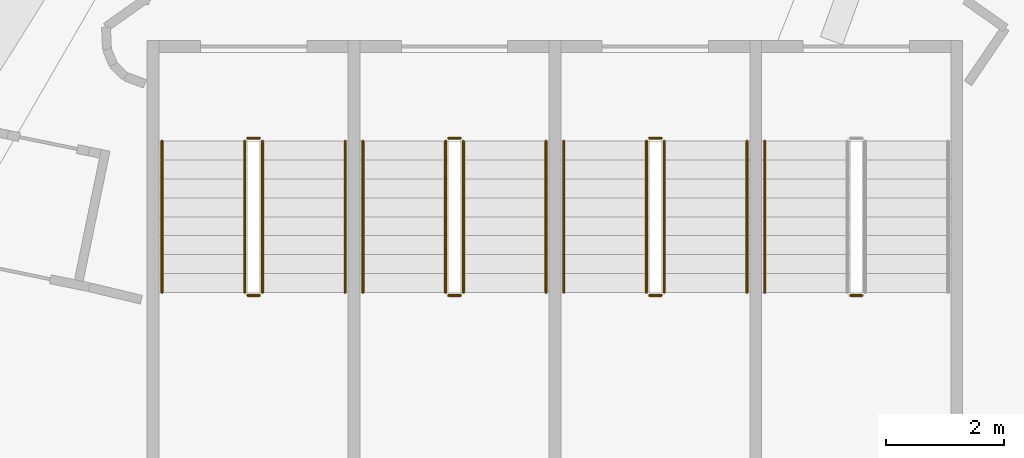
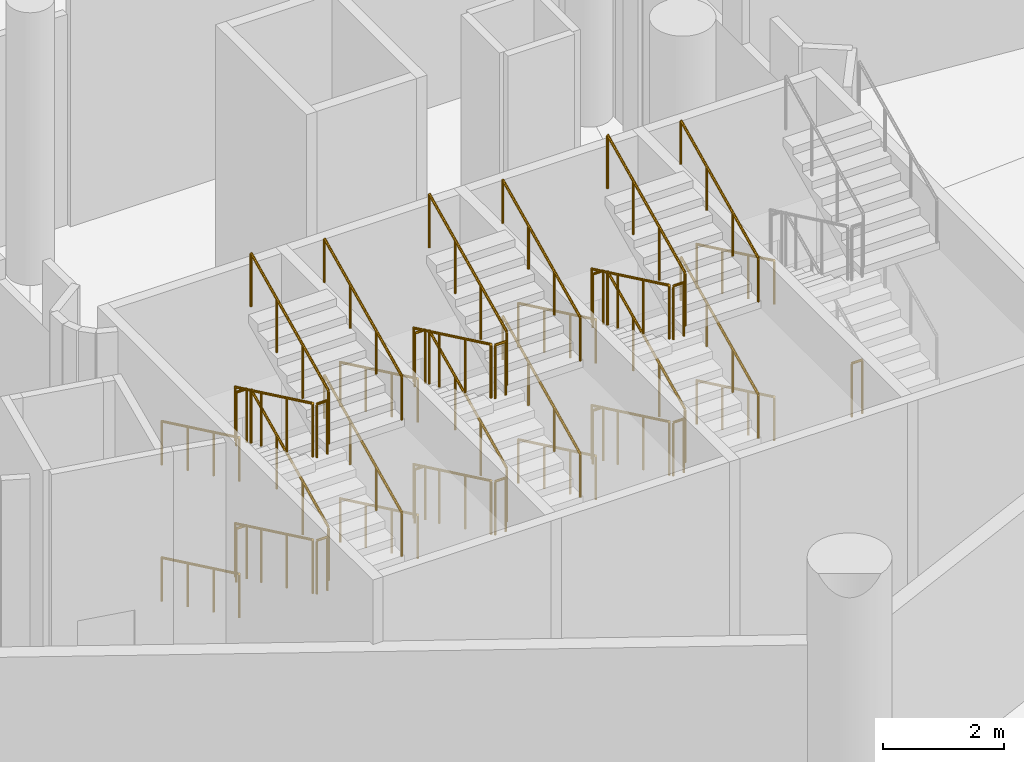
# One storey, part 228 of 271: 39 railings.
"""IFC4 building model written with IfcOpenShell, lengths in metres."""

from ifc_helpers import new_model, si_unit, direction, frame, origin, origin_2d, place, context, subcontext, project, spatial, circle, extrude, material, type_object, element, save


model = new_model("IFC4")

# Units and contexts
model_context = context("Model", 3, precision=1e-05, world=origin(), true_north=direction((0.0, 1.0)))
body_context = subcontext(model_context, "Body", "Model", "MODEL_VIEW")
ifc_project = project(units=[si_unit("LENGTHUNIT", "METRE"), si_unit("AREAUNIT", "SQUARE_METRE"), si_unit("VOLUMEUNIT", "CUBIC_METRE"), si_unit("PLANEANGLEUNIT", "RADIAN"), si_unit("MASSUNIT", "GRAM", prefix="KILO")], contexts=[model_context])

# Site, building, storey
site_placement = place(None, origin())
site = spatial("IfcSite", under=ifc_project, at=site_placement, CompositionType="ELEMENT")
building_placement = place(site_placement, origin())
building = spatial("IfcBuilding", under=site, at=building_placement, Name="Meseta Stadium", CompositionType="ELEMENT")
storey_placement = place(building_placement, frame((0.0, 0.0, 6.5)))
storey = spatial("IfcBuildingStorey", under=building, at=storey_placement, Name="L01", CompositionType="ELEMENT", Elevation=6.5)

# Railings
ifc_material_1 = material(Name="Steel S355", Category="steel")
railing_type_1 = type_object("IfcRailingType", Name="Stair guard 1100", PredefinedType="GUARDRAIL", material=ifc_material_1)
railing_1_placement = place(storey_placement, frame((-43.583251953125, -94.199951171875, 0.15283203125)))
element("IfcRailing", 1, at=railing_1_placement, inside=storey, type_object=railing_type_1, Name="ST89 L01 guard 1", PredefinedType="GUARDRAIL", context=body_context, shape_type="SweptSolid", body=[
    extrude(circle(Radius=0.02392578125, at=origin_2d()), frame((0.0, 0.0, 1.076171875), z_axis=(0.0, -0.902436934422, 0.430821981091), x_axis=(1.0, 0.0, 0.0)), (0.0, 0.0, 1.0), 2.8369140625),
    extrude(circle(Radius=0.02099609375, at=origin_2d()), origin(), (0.0, 0.0, 1.0), 1.052001953125),
    extrude(circle(Radius=0.02099609375, at=origin_2d()), frame((0.0, -0.853271484375, 0.407470703125)), (0.0, 0.0, 1.0), 1.052001953125),
    extrude(circle(Radius=0.02099609375, at=origin_2d()), frame((0.0, -1.706787109375, 0.814697265625)), (0.0, 0.0, 1.0), 1.052001953125),
    extrude(circle(Radius=0.02099609375, at=origin_2d()), frame((0.0, -2.56005859375, 1.22216796875)), (0.0, 0.0, 1.0), 1.052001953125),
])
railing_2_placement = place(storey_placement, frame((-43.533447265625, -96.81005859375, 1.375)))
element("IfcRailing", 2, at=railing_2_placement, inside=storey, type_object=railing_type_1, Name="ST89 L01 guard 2", PredefinedType="GUARDRAIL", context=body_context, shape_type="SweptSolid", body=[
    extrude(circle(Radius=0.02392578125, at=origin_2d()), frame((0.0, 0.0, 1.076171875), z_axis=(1.0, 0.0, 0.0), x_axis=(0.0, 1.0, 0.0)), (0.0, 0.0, 1.0), 0.2001953125),
    extrude(circle(Radius=0.02099609375, at=origin_2d()), origin(), (0.0, 0.0, 1.0), 1.052001953125),
    extrude(circle(Radius=0.02099609375, at=origin_2d()), frame((0.2001953125, 0.0, 0.0)), (0.0, 0.0, 1.0), 1.052001953125),
])
railing_3_placement = place(storey_placement, frame((-43.283447265625, -96.760009765625, 1.52783203125)))
element("IfcRailing", 3, at=railing_3_placement, inside=storey, type_object=railing_type_1, Name="ST89 L01 guard 3", PredefinedType="GUARDRAIL", context=body_context, shape_type="SweptSolid", body=[
    extrude(circle(Radius=0.02392578125, at=origin_2d()), frame((0.0, 0.0, 1.076171875), z_axis=(0.0, 0.902436934422, 0.430821981091), x_axis=(-1.0, 0.0, 0.0)), (0.0, 0.0, 1.0), 2.8369140625),
    extrude(circle(Radius=0.02099609375, at=origin_2d()), origin(), (0.0, 0.0, 1.0), 1.052001953125),
    extrude(circle(Radius=0.02099609375, at=origin_2d()), frame((0.0, 0.853271484375, 0.407470703125)), (0.0, 0.0, 1.0), 1.052001953125),
    extrude(circle(Radius=0.02099609375, at=origin_2d()), frame((0.0, 1.706787109375, 0.814697265625)), (0.0, 0.0, 1.0), 1.052001953125),
    extrude(circle(Radius=0.02099609375, at=origin_2d()), frame((0.0, 2.56005859375, 1.22216796875)), (0.0, 0.0, 1.0), 1.052001953125),
])
railing_4_placement = place(storey_placement, frame((-43.533447265625, -94.14990234375, 2.75)))
element("IfcRailing", 4, at=railing_4_placement, inside=storey, type_object=railing_type_1, Name="ST89 L01 guard 4", PredefinedType="GUARDRAIL", context=body_context, shape_type="SweptSolid", body=[
    extrude(circle(Radius=0.02392578125, at=origin_2d()), frame((0.0, 0.0, 1.076171875), z_axis=(1.0, 0.0, 0.0), x_axis=(0.0, 1.0, 0.0)), (0.0, 0.0, 1.0), 0.2001953125),
    extrude(circle(Radius=0.02099609375, at=origin_2d()), origin(), (0.0, 0.0, 1.0), 1.052001953125),
    extrude(circle(Radius=0.02099609375, at=origin_2d()), frame((0.2001953125, 0.0, 0.0)), (0.0, 0.0, 1.0), 1.052001953125),
])
railing_5_placement = place(storey_placement, frame((-43.583251953125, -94.199951171875, 2.90283203125)))
element("IfcRailing", 5, at=railing_5_placement, inside=storey, type_object=railing_type_1, Name="ST89 L01 guard 5", PredefinedType="GUARDRAIL", context=body_context, shape_type="SweptSolid", body=[
    extrude(circle(Radius=0.02392578125, at=origin_2d()), frame((0.0, 0.0, 1.076171875), z_axis=(0.0, -0.902436934422, 0.430821981091), x_axis=(1.0, 0.0, 0.0)), (0.0, 0.0, 1.0), 2.8369140625),
    extrude(circle(Radius=0.02099609375, at=origin_2d()), origin(), (0.0, 0.0, 1.0), 1.052001953125),
    extrude(circle(Radius=0.02099609375, at=origin_2d()), frame((0.0, -0.853271484375, 0.407470703125)), (0.0, 0.0, 1.0), 1.052001953125),
    extrude(circle(Radius=0.02099609375, at=origin_2d()), frame((0.0, -1.706787109375, 0.814697265625)), (0.0, 0.0, 1.0), 1.052001953125),
    extrude(circle(Radius=0.02099609375, at=origin_2d()), frame((0.0, -2.56005859375, 1.22216796875)), (0.0, 0.0, 1.0), 1.052001953125),
])
railing_6_placement = place(storey_placement, frame((-43.533447265625, -96.81005859375, 4.125)))
element("IfcRailing", 6, at=railing_6_placement, inside=storey, type_object=railing_type_1, Name="ST89 L01 guard 6", PredefinedType="GUARDRAIL", context=body_context, shape_type="SweptSolid", body=[
    extrude(circle(Radius=0.02392578125, at=origin_2d()), frame((0.0, 0.0, 1.076171875), z_axis=(1.0, 0.0, 0.0), x_axis=(0.0, 1.0, 0.0)), (0.0, 0.0, 1.0), 0.2001953125),
    extrude(circle(Radius=0.02099609375, at=origin_2d()), origin(), (0.0, 0.0, 1.0), 1.052001953125),
    extrude(circle(Radius=0.02099609375, at=origin_2d()), frame((0.2001953125, 0.0, 0.0)), (0.0, 0.0, 1.0), 1.052001953125),
])
railing_7_placement = place(storey_placement, frame((-43.283447265625, -96.760009765625, 4.27783203125)))
element("IfcRailing", 7, at=railing_7_placement, inside=storey, type_object=railing_type_1, Name="ST89 L01 guard 7", PredefinedType="GUARDRAIL", context=body_context, shape_type="SweptSolid", body=[
    extrude(circle(Radius=0.02392578125, at=origin_2d()), frame((0.0, 0.0, 1.076171875), z_axis=(0.0, 0.902436934422, 0.430821981091), x_axis=(-1.0, 0.0, 0.0)), (0.0, 0.0, 1.0), 2.8369140625),
    extrude(circle(Radius=0.02099609375, at=origin_2d()), origin(), (0.0, 0.0, 1.0), 1.052001953125),
    extrude(circle(Radius=0.02099609375, at=origin_2d()), frame((0.0, 0.853271484375, 0.407470703125)), (0.0, 0.0, 1.0), 1.052001953125),
    extrude(circle(Radius=0.02099609375, at=origin_2d()), frame((0.0, 1.706787109375, 0.814697265625)), (0.0, 0.0, 1.0), 1.052001953125),
    extrude(circle(Radius=0.02099609375, at=origin_2d()), frame((0.0, 2.56005859375, 1.22216796875)), (0.0, 0.0, 1.0), 1.052001953125),
])
railing_8_placement = place(storey_placement, frame((-43.533447265625, -94.14990234375, 0.0)))
element("IfcRailing", 8, at=railing_8_placement, inside=storey, type_object=railing_type_1, Name="ST89 L01 guard 8", PredefinedType="GUARDRAIL", context=body_context, shape_type="SweptSolid", body=[
    extrude(circle(Radius=0.02392578125, at=origin_2d()), frame((0.0, 0.0, 1.076171875), z_axis=(1.0, 0.0, 0.0), x_axis=(0.0, 1.0, 0.0)), (0.0, 0.0, 1.0), 0.2001953125),
    extrude(circle(Radius=0.02099609375, at=origin_2d()), origin(), (0.0, 0.0, 1.0), 1.052001953125),
    extrude(circle(Radius=0.02099609375, at=origin_2d()), frame((0.2001953125, 0.0, 0.0)), (0.0, 0.0, 1.0), 1.052001953125),
])
railing_9_placement = place(storey_placement, frame((-40.183349609375, -94.199951171875, 0.15283203125)))
element("IfcRailing", 9, at=railing_9_placement, inside=storey, type_object=railing_type_1, Name="ST90 L01 guard 1", PredefinedType="GUARDRAIL", context=body_context, shape_type="SweptSolid", body=[
    extrude(circle(Radius=0.02392578125, at=origin_2d()), frame((0.0, 0.0, 1.076171875), z_axis=(0.0, -0.902436934422, 0.430821981091), x_axis=(1.0, 0.0, 0.0)), (0.0, 0.0, 1.0), 2.8369140625),
    extrude(circle(Radius=0.02099609375, at=origin_2d()), origin(), (0.0, 0.0, 1.0), 1.052001953125),
    extrude(circle(Radius=0.02099609375, at=origin_2d()), frame((0.0, -0.853271484375, 0.407470703125)), (0.0, 0.0, 1.0), 1.052001953125),
    extrude(circle(Radius=0.02099609375, at=origin_2d()), frame((0.0, -1.706787109375, 0.814697265625)), (0.0, 0.0, 1.0), 1.052001953125),
    extrude(circle(Radius=0.02099609375, at=origin_2d()), frame((0.0, -2.56005859375, 1.22216796875)), (0.0, 0.0, 1.0), 1.052001953125),
])
railing_10_placement = place(storey_placement, frame((-40.13330078125, -96.81005859375, 1.375)))
element("IfcRailing", 10, at=railing_10_placement, inside=storey, type_object=railing_type_1, Name="ST90 L01 guard 2", PredefinedType="GUARDRAIL", context=body_context, shape_type="SweptSolid", body=[
    extrude(circle(Radius=0.02392578125, at=origin_2d()), frame((0.0, 0.0, 1.076171875), z_axis=(1.0, 0.0, 0.0), x_axis=(0.0, 1.0, 0.0)), (0.0, 0.0, 1.0), 0.199951171875),
    extrude(circle(Radius=0.02099609375, at=origin_2d()), origin(), (0.0, 0.0, 1.0), 1.052001953125),
    extrude(circle(Radius=0.02099609375, at=origin_2d()), frame((0.199951171875, 0.0, 0.0)), (0.0, 0.0, 1.0), 1.052001953125),
])
railing_11_placement = place(storey_placement, frame((-39.88330078125, -96.760009765625, 1.52783203125)))
element("IfcRailing", 11, at=railing_11_placement, inside=storey, type_object=railing_type_1, Name="ST90 L01 guard 3", PredefinedType="GUARDRAIL", context=body_context, shape_type="SweptSolid", body=[
    extrude(circle(Radius=0.02392578125, at=origin_2d()), frame((0.0, 0.0, 1.076171875), z_axis=(0.0, 0.902436934422, 0.430821981091), x_axis=(-1.0, 0.0, 0.0)), (0.0, 0.0, 1.0), 2.8369140625),
    extrude(circle(Radius=0.02099609375, at=origin_2d()), origin(), (0.0, 0.0, 1.0), 1.052001953125),
    extrude(circle(Radius=0.02099609375, at=origin_2d()), frame((0.0, 0.853271484375, 0.407470703125)), (0.0, 0.0, 1.0), 1.052001953125),
    extrude(circle(Radius=0.02099609375, at=origin_2d()), frame((0.0, 1.706787109375, 0.814697265625)), (0.0, 0.0, 1.0), 1.052001953125),
    extrude(circle(Radius=0.02099609375, at=origin_2d()), frame((0.0, 2.56005859375, 1.22216796875)), (0.0, 0.0, 1.0), 1.052001953125),
])
railing_12_placement = place(storey_placement, frame((-40.13330078125, -94.14990234375, 2.75)))
element("IfcRailing", 12, at=railing_12_placement, inside=storey, type_object=railing_type_1, Name="ST90 L01 guard 4", PredefinedType="GUARDRAIL", context=body_context, shape_type="SweptSolid", body=[
    extrude(circle(Radius=0.02392578125, at=origin_2d()), frame((0.0, 0.0, 1.076171875), z_axis=(1.0, 0.0, 0.0), x_axis=(0.0, 1.0, 0.0)), (0.0, 0.0, 1.0), 0.199951171875),
    extrude(circle(Radius=0.02099609375, at=origin_2d()), origin(), (0.0, 0.0, 1.0), 1.052001953125),
    extrude(circle(Radius=0.02099609375, at=origin_2d()), frame((0.199951171875, 0.0, 0.0)), (0.0, 0.0, 1.0), 1.052001953125),
])
railing_13_placement = place(storey_placement, frame((-40.183349609375, -94.199951171875, 2.90283203125)))
element("IfcRailing", 13, at=railing_13_placement, inside=storey, type_object=railing_type_1, Name="ST90 L01 guard 5", PredefinedType="GUARDRAIL", context=body_context, shape_type="SweptSolid", body=[
    extrude(circle(Radius=0.02392578125, at=origin_2d()), frame((0.0, 0.0, 1.076171875), z_axis=(0.0, -0.902436934422, 0.430821981091), x_axis=(1.0, 0.0, 0.0)), (0.0, 0.0, 1.0), 2.8369140625),
    extrude(circle(Radius=0.02099609375, at=origin_2d()), origin(), (0.0, 0.0, 1.0), 1.052001953125),
    extrude(circle(Radius=0.02099609375, at=origin_2d()), frame((0.0, -0.853271484375, 0.407470703125)), (0.0, 0.0, 1.0), 1.052001953125),
    extrude(circle(Radius=0.02099609375, at=origin_2d()), frame((0.0, -1.706787109375, 0.814697265625)), (0.0, 0.0, 1.0), 1.052001953125),
    extrude(circle(Radius=0.02099609375, at=origin_2d()), frame((0.0, -2.56005859375, 1.22216796875)), (0.0, 0.0, 1.0), 1.052001953125),
])
railing_14_placement = place(storey_placement, frame((-40.13330078125, -96.81005859375, 4.125)))
element("IfcRailing", 14, at=railing_14_placement, inside=storey, type_object=railing_type_1, Name="ST90 L01 guard 6", PredefinedType="GUARDRAIL", context=body_context, shape_type="SweptSolid", body=[
    extrude(circle(Radius=0.02392578125, at=origin_2d()), frame((0.0, 0.0, 1.076171875), z_axis=(1.0, 0.0, 0.0), x_axis=(0.0, 1.0, 0.0)), (0.0, 0.0, 1.0), 0.199951171875),
    extrude(circle(Radius=0.02099609375, at=origin_2d()), origin(), (0.0, 0.0, 1.0), 1.052001953125),
    extrude(circle(Radius=0.02099609375, at=origin_2d()), frame((0.199951171875, 0.0, 0.0)), (0.0, 0.0, 1.0), 1.052001953125),
])
railing_15_placement = place(storey_placement, frame((-39.88330078125, -96.760009765625, 4.27783203125)))
element("IfcRailing", 15, at=railing_15_placement, inside=storey, type_object=railing_type_1, Name="ST90 L01 guard 7", PredefinedType="GUARDRAIL", context=body_context, shape_type="SweptSolid", body=[
    extrude(circle(Radius=0.02392578125, at=origin_2d()), frame((0.0, 0.0, 1.076171875), z_axis=(0.0, 0.902436934422, 0.430821981091), x_axis=(-1.0, 0.0, 0.0)), (0.0, 0.0, 1.0), 2.8369140625),
    extrude(circle(Radius=0.02099609375, at=origin_2d()), origin(), (0.0, 0.0, 1.0), 1.052001953125),
    extrude(circle(Radius=0.02099609375, at=origin_2d()), frame((0.0, 0.853271484375, 0.407470703125)), (0.0, 0.0, 1.0), 1.052001953125),
    extrude(circle(Radius=0.02099609375, at=origin_2d()), frame((0.0, 1.706787109375, 0.814697265625)), (0.0, 0.0, 1.0), 1.052001953125),
    extrude(circle(Radius=0.02099609375, at=origin_2d()), frame((0.0, 2.56005859375, 1.22216796875)), (0.0, 0.0, 1.0), 1.052001953125),
])
railing_16_placement = place(storey_placement, frame((-40.13330078125, -94.14990234375, 0.0)))
element("IfcRailing", 16, at=railing_16_placement, inside=storey, type_object=railing_type_1, Name="ST90 L01 guard 8", PredefinedType="GUARDRAIL", context=body_context, shape_type="SweptSolid", body=[
    extrude(circle(Radius=0.02392578125, at=origin_2d()), frame((0.0, 0.0, 1.076171875), z_axis=(1.0, 0.0, 0.0), x_axis=(0.0, 1.0, 0.0)), (0.0, 0.0, 1.0), 0.199951171875),
    extrude(circle(Radius=0.02099609375, at=origin_2d()), origin(), (0.0, 0.0, 1.0), 1.052001953125),
    extrude(circle(Radius=0.02099609375, at=origin_2d()), frame((0.199951171875, 0.0, 0.0)), (0.0, 0.0, 1.0), 1.052001953125),
])
railing_17_placement = place(storey_placement, frame((-36.783447265625, -94.199951171875, 0.15283203125)))
element("IfcRailing", 17, at=railing_17_placement, inside=storey, type_object=railing_type_1, Name="ST91 L01 guard 1", PredefinedType="GUARDRAIL", context=body_context, shape_type="SweptSolid", body=[
    extrude(circle(Radius=0.02392578125, at=origin_2d()), frame((0.0, 0.0, 1.076171875), z_axis=(0.0, -0.902436934422, 0.430821981091), x_axis=(1.0, 0.0, 0.0)), (0.0, 0.0, 1.0), 2.8369140625),
    extrude(circle(Radius=0.02099609375, at=origin_2d()), origin(), (0.0, 0.0, 1.0), 1.052001953125),
    extrude(circle(Radius=0.02099609375, at=origin_2d()), frame((0.0, -0.853271484375, 0.407470703125)), (0.0, 0.0, 1.0), 1.052001953125),
    extrude(circle(Radius=0.02099609375, at=origin_2d()), frame((0.0, -1.706787109375, 0.814697265625)), (0.0, 0.0, 1.0), 1.052001953125),
    extrude(circle(Radius=0.02099609375, at=origin_2d()), frame((0.0, -2.56005859375, 1.22216796875)), (0.0, 0.0, 1.0), 1.052001953125),
])
railing_18_placement = place(storey_placement, frame((-36.7333984375, -96.81005859375, 1.375)))
element("IfcRailing", 18, at=railing_18_placement, inside=storey, type_object=railing_type_1, Name="ST91 L01 guard 2", PredefinedType="GUARDRAIL", context=body_context, shape_type="SweptSolid", body=[
    extrude(circle(Radius=0.02392578125, at=origin_2d()), frame((0.0, 0.0, 1.076171875), z_axis=(1.0, 0.0, 0.0), x_axis=(0.0, 1.0, 0.0)), (0.0, 0.0, 1.0), 0.199951171875),
    extrude(circle(Radius=0.02099609375, at=origin_2d()), origin(), (0.0, 0.0, 1.0), 1.052001953125),
    extrude(circle(Radius=0.02099609375, at=origin_2d()), frame((0.199951171875, 0.0, 0.0)), (0.0, 0.0, 1.0), 1.052001953125),
])
railing_19_placement = place(storey_placement, frame((-36.4833984375, -96.760009765625, 1.52783203125)))
element("IfcRailing", 19, at=railing_19_placement, inside=storey, type_object=railing_type_1, Name="ST91 L01 guard 3", PredefinedType="GUARDRAIL", context=body_context, shape_type="SweptSolid", body=[
    extrude(circle(Radius=0.02392578125, at=origin_2d()), frame((0.0, 0.0, 1.076171875), z_axis=(0.0, 0.902436934422, 0.430821981091), x_axis=(-1.0, 0.0, 0.0)), (0.0, 0.0, 1.0), 2.8369140625),
    extrude(circle(Radius=0.02099609375, at=origin_2d()), origin(), (0.0, 0.0, 1.0), 1.052001953125),
    extrude(circle(Radius=0.02099609375, at=origin_2d()), frame((0.0, 0.853271484375, 0.407470703125)), (0.0, 0.0, 1.0), 1.052001953125),
    extrude(circle(Radius=0.02099609375, at=origin_2d()), frame((0.0, 1.706787109375, 0.814697265625)), (0.0, 0.0, 1.0), 1.052001953125),
    extrude(circle(Radius=0.02099609375, at=origin_2d()), frame((0.0, 2.56005859375, 1.22216796875)), (0.0, 0.0, 1.0), 1.052001953125),
])
railing_20_placement = place(storey_placement, frame((-36.7333984375, -94.14990234375, 2.75)))
element("IfcRailing", 20, at=railing_20_placement, inside=storey, type_object=railing_type_1, Name="ST91 L01 guard 4", PredefinedType="GUARDRAIL", context=body_context, shape_type="SweptSolid", body=[
    extrude(circle(Radius=0.02392578125, at=origin_2d()), frame((0.0, 0.0, 1.076171875), z_axis=(1.0, 0.0, 0.0), x_axis=(0.0, 1.0, 0.0)), (0.0, 0.0, 1.0), 0.199951171875),
    extrude(circle(Radius=0.02099609375, at=origin_2d()), origin(), (0.0, 0.0, 1.0), 1.052001953125),
    extrude(circle(Radius=0.02099609375, at=origin_2d()), frame((0.199951171875, 0.0, 0.0)), (0.0, 0.0, 1.0), 1.052001953125),
])
railing_21_placement = place(storey_placement, frame((-36.783447265625, -94.199951171875, 2.90283203125)))
element("IfcRailing", 21, at=railing_21_placement, inside=storey, type_object=railing_type_1, Name="ST91 L01 guard 5", PredefinedType="GUARDRAIL", context=body_context, shape_type="SweptSolid", body=[
    extrude(circle(Radius=0.02392578125, at=origin_2d()), frame((0.0, 0.0, 1.076171875), z_axis=(0.0, -0.902436934422, 0.430821981091), x_axis=(1.0, 0.0, 0.0)), (0.0, 0.0, 1.0), 2.8369140625),
    extrude(circle(Radius=0.02099609375, at=origin_2d()), origin(), (0.0, 0.0, 1.0), 1.052001953125),
    extrude(circle(Radius=0.02099609375, at=origin_2d()), frame((0.0, -0.853271484375, 0.407470703125)), (0.0, 0.0, 1.0), 1.052001953125),
    extrude(circle(Radius=0.02099609375, at=origin_2d()), frame((0.0, -1.706787109375, 0.814697265625)), (0.0, 0.0, 1.0), 1.052001953125),
    extrude(circle(Radius=0.02099609375, at=origin_2d()), frame((0.0, -2.56005859375, 1.22216796875)), (0.0, 0.0, 1.0), 1.052001953125),
])
railing_22_placement = place(storey_placement, frame((-36.7333984375, -96.81005859375, 4.125)))
element("IfcRailing", 22, at=railing_22_placement, inside=storey, type_object=railing_type_1, Name="ST91 L01 guard 6", PredefinedType="GUARDRAIL", context=body_context, shape_type="SweptSolid", body=[
    extrude(circle(Radius=0.02392578125, at=origin_2d()), frame((0.0, 0.0, 1.076171875), z_axis=(1.0, 0.0, 0.0), x_axis=(0.0, 1.0, 0.0)), (0.0, 0.0, 1.0), 0.199951171875),
    extrude(circle(Radius=0.02099609375, at=origin_2d()), origin(), (0.0, 0.0, 1.0), 1.052001953125),
    extrude(circle(Radius=0.02099609375, at=origin_2d()), frame((0.199951171875, 0.0, 0.0)), (0.0, 0.0, 1.0), 1.052001953125),
])
railing_23_placement = place(storey_placement, frame((-36.4833984375, -96.760009765625, 4.27783203125)))
element("IfcRailing", 23, at=railing_23_placement, inside=storey, type_object=railing_type_1, Name="ST91 L01 guard 7", PredefinedType="GUARDRAIL", context=body_context, shape_type="SweptSolid", body=[
    extrude(circle(Radius=0.02392578125, at=origin_2d()), frame((0.0, 0.0, 1.076171875), z_axis=(0.0, 0.902436934422, 0.430821981091), x_axis=(-1.0, 0.0, 0.0)), (0.0, 0.0, 1.0), 2.8369140625),
    extrude(circle(Radius=0.02099609375, at=origin_2d()), origin(), (0.0, 0.0, 1.0), 1.052001953125),
    extrude(circle(Radius=0.02099609375, at=origin_2d()), frame((0.0, 0.853271484375, 0.407470703125)), (0.0, 0.0, 1.0), 1.052001953125),
    extrude(circle(Radius=0.02099609375, at=origin_2d()), frame((0.0, 1.706787109375, 0.814697265625)), (0.0, 0.0, 1.0), 1.052001953125),
    extrude(circle(Radius=0.02099609375, at=origin_2d()), frame((0.0, 2.56005859375, 1.22216796875)), (0.0, 0.0, 1.0), 1.052001953125),
])
for number, where, name in (
    (24, (-36.7333984375, -94.14990234375, 0.0), "ST91 L01 guard 8"),
    (25, (-33.333251953125, -96.81005859375, 1.375), "ST92 L01 guard 2"),
):
    element("IfcRailing", number, at=place(storey_placement, frame(where)), inside=storey, type_object=railing_type_1, Name=name, PredefinedType="GUARDRAIL", context=body_context, shape_type="SweptSolid", body=[
        extrude(circle(Radius=0.02392578125, at=origin_2d()), frame((0.0, 0.0, 1.076171875), z_axis=(1.0, 0.0, 0.0), x_axis=(0.0, 1.0, 0.0)), (0.0, 0.0, 1.0), 0.199951171875),
        extrude(circle(Radius=0.02099609375, at=origin_2d()), origin(), (0.0, 0.0, 1.0), 1.052001953125),
        extrude(circle(Radius=0.02099609375, at=origin_2d()), frame((0.199951171875, 0.0, 0.0)), (0.0, 0.0, 1.0), 1.052001953125),
    ])
ifc_material_2 = material(Name="Steel S355", Category="steel")
railing_type_2 = type_object("IfcRailingType", Name="Stair handrail 900", PredefinedType="HANDRAIL", material=ifc_material_2)
railing_24_placement = place(storey_placement, frame((-44.9833984375, -94.199951171875, 0.15283203125)))
element("IfcRailing", 26, at=railing_24_placement, inside=storey, type_object=railing_type_2, Name="ST89 L01 handrail 1", PredefinedType="HANDRAIL", context=body_context, shape_type="SweptSolid", body=[
    extrude(circle(Radius=0.02392578125, at=origin_2d()), frame((0.0, 0.0, 0.8759765625), z_axis=(0.0, -0.902436934422, 0.430821981091), x_axis=(1.0, 0.0, 0.0)), (0.0, 0.0, 1.0), 2.8369140625),
    extrude(circle(Radius=0.02099609375, at=origin_2d()), origin(), (0.0, 0.0, 1.0), 0.851806640625),
    extrude(circle(Radius=0.02099609375, at=origin_2d()), frame((0.0, -0.853271484375, 0.407470703125)), (0.0, 0.0, 1.0), 0.851806640625),
    extrude(circle(Radius=0.02099609375, at=origin_2d()), frame((0.0, -1.706787109375, 0.814697265625)), (0.0, 0.0, 1.0), 0.851806640625),
    extrude(circle(Radius=0.02099609375, at=origin_2d()), frame((0.0, -2.56005859375, 1.22216796875)), (0.0, 0.0, 1.0), 0.851806640625),
])
railing_25_placement = place(storey_placement, frame((-41.88330078125, -96.760009765625, 1.52783203125)))
element("IfcRailing", 27, at=railing_25_placement, inside=storey, type_object=railing_type_2, Name="ST89 L01 handrail 2", PredefinedType="HANDRAIL", context=body_context, shape_type="SweptSolid", body=[
    extrude(circle(Radius=0.02392578125, at=origin_2d()), frame((0.0, 0.0, 0.8759765625), z_axis=(0.0, 0.902436934422, 0.430821981091), x_axis=(-1.0, 0.0, 0.0)), (0.0, 0.0, 1.0), 2.8369140625),
    extrude(circle(Radius=0.02099609375, at=origin_2d()), origin(), (0.0, 0.0, 1.0), 0.851806640625),
    extrude(circle(Radius=0.02099609375, at=origin_2d()), frame((0.0, 0.853271484375, 0.407470703125)), (0.0, 0.0, 1.0), 0.851806640625),
    extrude(circle(Radius=0.02099609375, at=origin_2d()), frame((0.0, 1.706787109375, 0.814697265625)), (0.0, 0.0, 1.0), 0.851806640625),
    extrude(circle(Radius=0.02099609375, at=origin_2d()), frame((0.0, 2.56005859375, 1.22216796875)), (0.0, 0.0, 1.0), 0.851806640625),
])
railing_26_placement = place(storey_placement, frame((-44.9833984375, -94.199951171875, 2.90283203125)))
element("IfcRailing", 28, at=railing_26_placement, inside=storey, type_object=railing_type_2, Name="ST89 L01 handrail 3", PredefinedType="HANDRAIL", context=body_context, shape_type="SweptSolid", body=[
    extrude(circle(Radius=0.02392578125, at=origin_2d()), frame((0.0, 0.0, 0.8759765625), z_axis=(0.0, -0.902436934422, 0.430821981091), x_axis=(1.0, 0.0, 0.0)), (0.0, 0.0, 1.0), 2.8369140625),
    extrude(circle(Radius=0.02099609375, at=origin_2d()), origin(), (0.0, 0.0, 1.0), 0.851806640625),
    extrude(circle(Radius=0.02099609375, at=origin_2d()), frame((0.0, -0.853271484375, 0.407470703125)), (0.0, 0.0, 1.0), 0.851806640625),
    extrude(circle(Radius=0.02099609375, at=origin_2d()), frame((0.0, -1.706787109375, 0.814697265625)), (0.0, 0.0, 1.0), 0.851806640625),
    extrude(circle(Radius=0.02099609375, at=origin_2d()), frame((0.0, -2.56005859375, 1.22216796875)), (0.0, 0.0, 1.0), 0.851806640625),
])
railing_27_placement = place(storey_placement, frame((-41.88330078125, -96.760009765625, 4.27783203125)))
element("IfcRailing", 29, at=railing_27_placement, inside=storey, type_object=railing_type_2, Name="ST89 L01 handrail 4", PredefinedType="HANDRAIL", context=body_context, shape_type="SweptSolid", body=[
    extrude(circle(Radius=0.02392578125, at=origin_2d()), frame((0.0, 0.0, 0.8759765625), z_axis=(0.0, 0.902436934422, 0.430821981091), x_axis=(-1.0, 0.0, 0.0)), (0.0, 0.0, 1.0), 2.8369140625),
    extrude(circle(Radius=0.02099609375, at=origin_2d()), origin(), (0.0, 0.0, 1.0), 0.851806640625),
    extrude(circle(Radius=0.02099609375, at=origin_2d()), frame((0.0, 0.853271484375, 0.407470703125)), (0.0, 0.0, 1.0), 0.851806640625),
    extrude(circle(Radius=0.02099609375, at=origin_2d()), frame((0.0, 1.706787109375, 0.814697265625)), (0.0, 0.0, 1.0), 0.851806640625),
    extrude(circle(Radius=0.02099609375, at=origin_2d()), frame((0.0, 2.56005859375, 1.22216796875)), (0.0, 0.0, 1.0), 0.851806640625),
])
railing_28_placement = place(storey_placement, frame((-41.583251953125, -94.199951171875, 0.15283203125)))
element("IfcRailing", 30, at=railing_28_placement, inside=storey, type_object=railing_type_2, Name="ST90 L01 handrail 1", PredefinedType="HANDRAIL", context=body_context, shape_type="SweptSolid", body=[
    extrude(circle(Radius=0.02392578125, at=origin_2d()), frame((0.0, 0.0, 0.8759765625), z_axis=(0.0, -0.902436934422, 0.430821981091), x_axis=(1.0, 0.0, 0.0)), (0.0, 0.0, 1.0), 2.8369140625),
    extrude(circle(Radius=0.02099609375, at=origin_2d()), origin(), (0.0, 0.0, 1.0), 0.851806640625),
    extrude(circle(Radius=0.02099609375, at=origin_2d()), frame((0.0, -0.853271484375, 0.407470703125)), (0.0, 0.0, 1.0), 0.851806640625),
    extrude(circle(Radius=0.02099609375, at=origin_2d()), frame((0.0, -1.706787109375, 0.814697265625)), (0.0, 0.0, 1.0), 0.851806640625),
    extrude(circle(Radius=0.02099609375, at=origin_2d()), frame((0.0, -2.56005859375, 1.22216796875)), (0.0, 0.0, 1.0), 0.851806640625),
])
railing_29_placement = place(storey_placement, frame((-38.4833984375, -96.760009765625, 1.52783203125)))
element("IfcRailing", 31, at=railing_29_placement, inside=storey, type_object=railing_type_2, Name="ST90 L01 handrail 2", PredefinedType="HANDRAIL", context=body_context, shape_type="SweptSolid", body=[
    extrude(circle(Radius=0.02392578125, at=origin_2d()), frame((0.0, 0.0, 0.8759765625), z_axis=(0.0, 0.902436934422, 0.430821981091), x_axis=(-1.0, 0.0, 0.0)), (0.0, 0.0, 1.0), 2.8369140625),
    extrude(circle(Radius=0.02099609375, at=origin_2d()), origin(), (0.0, 0.0, 1.0), 0.851806640625),
    extrude(circle(Radius=0.02099609375, at=origin_2d()), frame((0.0, 0.853271484375, 0.407470703125)), (0.0, 0.0, 1.0), 0.851806640625),
    extrude(circle(Radius=0.02099609375, at=origin_2d()), frame((0.0, 1.706787109375, 0.814697265625)), (0.0, 0.0, 1.0), 0.851806640625),
    extrude(circle(Radius=0.02099609375, at=origin_2d()), frame((0.0, 2.56005859375, 1.22216796875)), (0.0, 0.0, 1.0), 0.851806640625),
])
railing_30_placement = place(storey_placement, frame((-41.583251953125, -94.199951171875, 2.90283203125)))
element("IfcRailing", 32, at=railing_30_placement, inside=storey, type_object=railing_type_2, Name="ST90 L01 handrail 3", PredefinedType="HANDRAIL", context=body_context, shape_type="SweptSolid", body=[
    extrude(circle(Radius=0.02392578125, at=origin_2d()), frame((0.0, 0.0, 0.8759765625), z_axis=(0.0, -0.902436934422, 0.430821981091), x_axis=(1.0, 0.0, 0.0)), (0.0, 0.0, 1.0), 2.8369140625),
    extrude(circle(Radius=0.02099609375, at=origin_2d()), origin(), (0.0, 0.0, 1.0), 0.851806640625),
    extrude(circle(Radius=0.02099609375, at=origin_2d()), frame((0.0, -0.853271484375, 0.407470703125)), (0.0, 0.0, 1.0), 0.851806640625),
    extrude(circle(Radius=0.02099609375, at=origin_2d()), frame((0.0, -1.706787109375, 0.814697265625)), (0.0, 0.0, 1.0), 0.851806640625),
    extrude(circle(Radius=0.02099609375, at=origin_2d()), frame((0.0, -2.56005859375, 1.22216796875)), (0.0, 0.0, 1.0), 0.851806640625),
])
railing_31_placement = place(storey_placement, frame((-38.4833984375, -96.760009765625, 4.27783203125)))
element("IfcRailing", 33, at=railing_31_placement, inside=storey, type_object=railing_type_2, Name="ST90 L01 handrail 4", PredefinedType="HANDRAIL", context=body_context, shape_type="SweptSolid", body=[
    extrude(circle(Radius=0.02392578125, at=origin_2d()), frame((0.0, 0.0, 0.8759765625), z_axis=(0.0, 0.902436934422, 0.430821981091), x_axis=(-1.0, 0.0, 0.0)), (0.0, 0.0, 1.0), 2.8369140625),
    extrude(circle(Radius=0.02099609375, at=origin_2d()), origin(), (0.0, 0.0, 1.0), 0.851806640625),
    extrude(circle(Radius=0.02099609375, at=origin_2d()), frame((0.0, 0.853271484375, 0.407470703125)), (0.0, 0.0, 1.0), 0.851806640625),
    extrude(circle(Radius=0.02099609375, at=origin_2d()), frame((0.0, 1.706787109375, 0.814697265625)), (0.0, 0.0, 1.0), 0.851806640625),
    extrude(circle(Radius=0.02099609375, at=origin_2d()), frame((0.0, 2.56005859375, 1.22216796875)), (0.0, 0.0, 1.0), 0.851806640625),
])
railing_32_placement = place(storey_placement, frame((-38.183349609375, -94.199951171875, 0.15283203125)))
element("IfcRailing", 34, at=railing_32_placement, inside=storey, type_object=railing_type_2, Name="ST91 L01 handrail 1", PredefinedType="HANDRAIL", context=body_context, shape_type="SweptSolid", body=[
    extrude(circle(Radius=0.02392578125, at=origin_2d()), frame((0.0, 0.0, 0.8759765625), z_axis=(0.0, -0.902436934422, 0.430821981091), x_axis=(1.0, 0.0, 0.0)), (0.0, 0.0, 1.0), 2.8369140625),
    extrude(circle(Radius=0.02099609375, at=origin_2d()), origin(), (0.0, 0.0, 1.0), 0.851806640625),
    extrude(circle(Radius=0.02099609375, at=origin_2d()), frame((0.0, -0.853271484375, 0.407470703125)), (0.0, 0.0, 1.0), 0.851806640625),
    extrude(circle(Radius=0.02099609375, at=origin_2d()), frame((0.0, -1.706787109375, 0.814697265625)), (0.0, 0.0, 1.0), 0.851806640625),
    extrude(circle(Radius=0.02099609375, at=origin_2d()), frame((0.0, -2.56005859375, 1.22216796875)), (0.0, 0.0, 1.0), 0.851806640625),
])
railing_33_placement = place(storey_placement, frame((-35.083251953125, -96.760009765625, 1.52783203125)))
element("IfcRailing", 35, at=railing_33_placement, inside=storey, type_object=railing_type_2, Name="ST91 L01 handrail 2", PredefinedType="HANDRAIL", context=body_context, shape_type="SweptSolid", body=[
    extrude(circle(Radius=0.02392578125, at=origin_2d()), frame((0.0, 0.0, 0.8759765625), z_axis=(0.0, 0.902436934422, 0.430821981091), x_axis=(-1.0, 0.0, 0.0)), (0.0, 0.0, 1.0), 2.8369140625),
    extrude(circle(Radius=0.02099609375, at=origin_2d()), origin(), (0.0, 0.0, 1.0), 0.851806640625),
    extrude(circle(Radius=0.02099609375, at=origin_2d()), frame((0.0, 0.853271484375, 0.407470703125)), (0.0, 0.0, 1.0), 0.851806640625),
    extrude(circle(Radius=0.02099609375, at=origin_2d()), frame((0.0, 1.706787109375, 0.814697265625)), (0.0, 0.0, 1.0), 0.851806640625),
    extrude(circle(Radius=0.02099609375, at=origin_2d()), frame((0.0, 2.56005859375, 1.22216796875)), (0.0, 0.0, 1.0), 0.851806640625),
])
railing_34_placement = place(storey_placement, frame((-38.183349609375, -94.199951171875, 2.90283203125)))
element("IfcRailing", 36, at=railing_34_placement, inside=storey, type_object=railing_type_2, Name="ST91 L01 handrail 3", PredefinedType="HANDRAIL", context=body_context, shape_type="SweptSolid", body=[
    extrude(circle(Radius=0.02392578125, at=origin_2d()), frame((0.0, 0.0, 0.8759765625), z_axis=(0.0, -0.902436934422, 0.430821981091), x_axis=(1.0, 0.0, 0.0)), (0.0, 0.0, 1.0), 2.8369140625),
    extrude(circle(Radius=0.02099609375, at=origin_2d()), origin(), (0.0, 0.0, 1.0), 0.851806640625),
    extrude(circle(Radius=0.02099609375, at=origin_2d()), frame((0.0, -0.853271484375, 0.407470703125)), (0.0, 0.0, 1.0), 0.851806640625),
    extrude(circle(Radius=0.02099609375, at=origin_2d()), frame((0.0, -1.706787109375, 0.814697265625)), (0.0, 0.0, 1.0), 0.851806640625),
    extrude(circle(Radius=0.02099609375, at=origin_2d()), frame((0.0, -2.56005859375, 1.22216796875)), (0.0, 0.0, 1.0), 0.851806640625),
])
railing_35_placement = place(storey_placement, frame((-35.083251953125, -96.760009765625, 4.27783203125)))
element("IfcRailing", 37, at=railing_35_placement, inside=storey, type_object=railing_type_2, Name="ST91 L01 handrail 4", PredefinedType="HANDRAIL", context=body_context, shape_type="SweptSolid", body=[
    extrude(circle(Radius=0.02392578125, at=origin_2d()), frame((0.0, 0.0, 0.8759765625), z_axis=(0.0, 0.902436934422, 0.430821981091), x_axis=(-1.0, 0.0, 0.0)), (0.0, 0.0, 1.0), 2.8369140625),
    extrude(circle(Radius=0.02099609375, at=origin_2d()), origin(), (0.0, 0.0, 1.0), 0.851806640625),
    extrude(circle(Radius=0.02099609375, at=origin_2d()), frame((0.0, 0.853271484375, 0.407470703125)), (0.0, 0.0, 1.0), 0.851806640625),
    extrude(circle(Radius=0.02099609375, at=origin_2d()), frame((0.0, 1.706787109375, 0.814697265625)), (0.0, 0.0, 1.0), 0.851806640625),
    extrude(circle(Radius=0.02099609375, at=origin_2d()), frame((0.0, 2.56005859375, 1.22216796875)), (0.0, 0.0, 1.0), 0.851806640625),
])
for number, where, name in (
    (38, (-34.783447265625, -94.199951171875, 0.15283203125), "ST92 L01 handrail 1"),
    (39, (-34.783447265625, -94.199951171875, 2.90283203125), "ST92 L01 handrail 3"),
):
    element("IfcRailing", number, at=place(storey_placement, frame(where)), inside=storey, type_object=railing_type_2, Name=name, PredefinedType="HANDRAIL", context=body_context, shape_type="SweptSolid", body=[
        extrude(circle(Radius=0.02392578125, at=origin_2d()), frame((0.0, 0.0, 0.8759765625), z_axis=(0.0, -0.902436934422, 0.430821981091), x_axis=(1.0, 0.0, 0.0)), (0.0, 0.0, 1.0), 2.8369140625),
        extrude(circle(Radius=0.02099609375, at=origin_2d()), origin(), (0.0, 0.0, 1.0), 0.851806640625),
        extrude(circle(Radius=0.02099609375, at=origin_2d()), frame((0.0, -0.853271484375, 0.407470703125)), (0.0, 0.0, 1.0), 0.851806640625),
        extrude(circle(Radius=0.02099609375, at=origin_2d()), frame((0.0, -1.706787109375, 0.814697265625)), (0.0, 0.0, 1.0), 0.851806640625),
        extrude(circle(Radius=0.02099609375, at=origin_2d()), frame((0.0, -2.56005859375, 1.22216796875)), (0.0, 0.0, 1.0), 0.851806640625),
    ])

save(model, "model.ifc")
